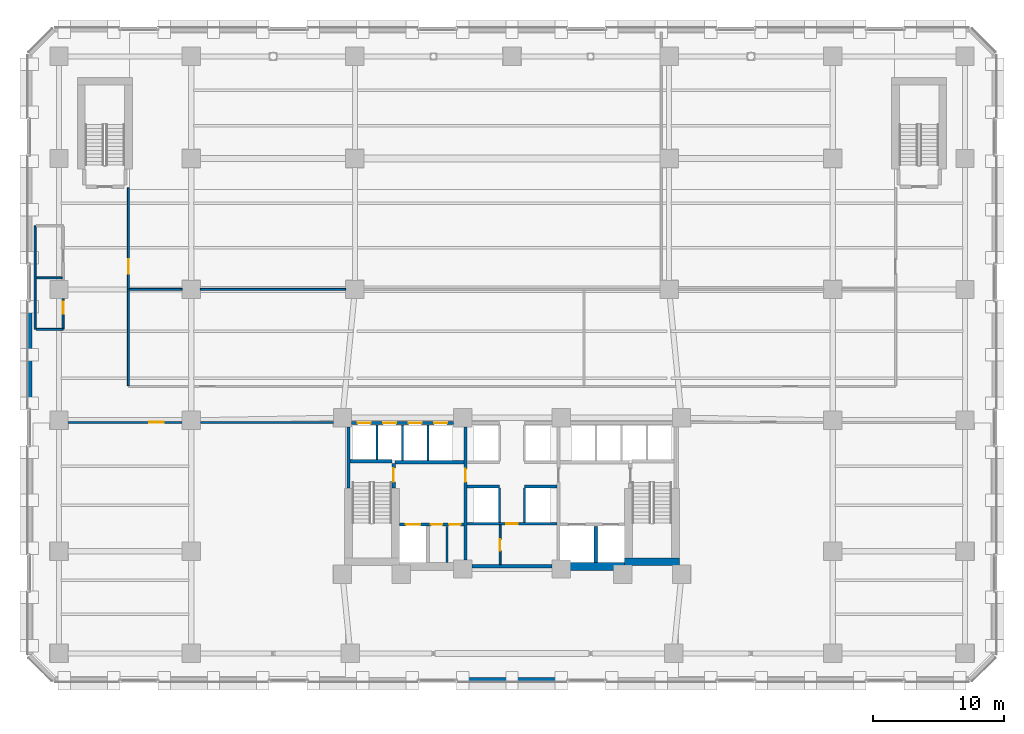
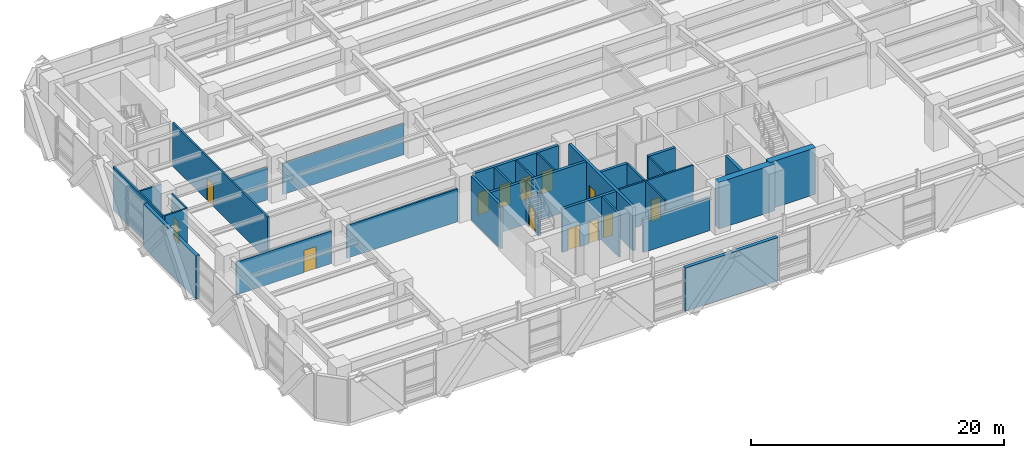
# One storey, part 14 of 26: 32 walls, 14 doors, 14 openings.
"""IFC4 building model written with IfcOpenShell, lengths in metres."""

from ifc_helpers import new_model, si_unit, direction, frame, frame_2d, origin, place, context, subcontext, project, spatial, rectangle, extrude, material, layer, layer_set, type_object, element, fill, save


model = new_model("IFC4")

# Units and contexts
model_context = context("Model", 3, precision=1e-05, world=origin(), true_north=direction((0.0, 1.0)))
body_context = subcontext(model_context, "Body", "Model", "MODEL_VIEW")
ifc_project = project(units=[si_unit("LENGTHUNIT", "METRE"), si_unit("AREAUNIT", "SQUARE_METRE"), si_unit("VOLUMEUNIT", "CUBIC_METRE"), si_unit("PLANEANGLEUNIT", "RADIAN"), si_unit("MASSUNIT", "GRAM", prefix="KILO")], contexts=[model_context])

# Site, building, storey
site_placement = place(None, origin())
site = spatial("IfcSite", under=ifc_project, at=site_placement, CompositionType="ELEMENT")
building_placement = place(site_placement, origin())
building = spatial("IfcBuilding", under=site, at=building_placement, Name="Quenlor Broadcast Tower", CompositionType="ELEMENT")
storey_placement = place(building_placement, frame((0.0, 0.0, 14.0)))
storey = spatial("IfcBuildingStorey", under=building, at=storey_placement, Name="L03", CompositionType="ELEMENT", Elevation=14.0)

# Wall, opening, door
ifc_material_1 = material(Name="Acoustic Double Stud Gypsum Partition", Category="other")
ifc_layer_1 = layer(ifc_material_1, 0.14990234375)
ifc_layer_set_1 = layer_set([ifc_layer_1], Name="Broadcast Studio Acoustic Partition 150")
wall_type_1 = type_object("IfcWallType", Name="Broadcast Studio Acoustic Partition 150", PredefinedType="PARTITIONING", material=ifc_layer_set_1)
wall_1_placement = place(storey_placement, frame((-0.909912109375, -16.02001953125, 0.0), z_axis=(0.0, 0.0, 1.0), x_axis=(0.0, 1.0, 0.0)))
wall_1 = element("IfcWall", 1, at=wall_1_placement, inside=storey, type_object=wall_type_1, Name="L03 Interior Wall CW-CSV-W1", PredefinedType="PARTITIONING", context=body_context, shape_type="SweptSolid", body=[
    extrude(rectangle(XDim=3.0380859375, YDim=0.14990234375, at=frame_2d((1.51904296875, 0.0))), origin(), (0.0, 0.0, 1.0), 4.199951171875),
])
opening_1_placement = place(wall_1_placement, frame((1.050048828125, 0.0, 0.0)))
opening_1 = element("IfcOpeningElement", 2, at=opening_1_placement, cuts=wall_1, Name="Opening ID-4", PredefinedType="OPENING", context=body_context, shape_type="SweptSolid", body=[
    extrude(rectangle(XDim=0.8798828125, YDim=2.1201171875, at=frame_2d((0.43994140625, 1.06005859375))), frame((0.0, 0.0849609375, 0.0), z_axis=(0.0, -1.0, 0.0), x_axis=(1.0, 0.0, 0.0)), (0.0, 0.0, 1.0), 0.169921875),
])
ifc_material_2 = material(Name="Solid Core Timber Oak", Category="wood")
door_type_1 = type_object("IfcDoorType", Name="Service Closet Timber Door 880x2120", OperationType="NOTDEFINED", PredefinedType="DOOR", material=ifc_material_2)
door_1_placement = place(opening_1_placement, origin())
door_1 = element("IfcDoor", 3, at=door_1_placement, inside=storey, type_object=door_type_1, Name="L03 Door DR-CSV1", OperationType="SINGLE_SWING_LEFT", OverallHeight=2.1201171875, OverallWidth=0.8798828125, PredefinedType="DOOR", context=body_context, shape_type="SweptSolid", body=[
    extrude(rectangle(XDim=0.8798828125, YDim=2.1201171875, at=frame_2d((0.43994140625, 1.06005859375))), frame((0.0, 0.02490234375, 0.0), z_axis=(0.0, -1.0, 0.0), x_axis=(1.0, 0.0, 0.0)), (0.0, 0.0, 1.0), 0.050048828125),
])
fill(opening_1, door_1)

wall_2_placement = place(storey_placement, frame((-29.300048828125, -2.337890625, 0.0), z_axis=(0.0, 0.0, 1.0), x_axis=(0.0, 1.0, 0.0)))
wall_2 = element("IfcWall", 4, at=wall_2_placement, inside=storey, type_object=wall_type_1, Name="L03 Interior Wall PW-PD-LW", PredefinedType="PARTITIONING", context=body_context, shape_type="SweptSolid", body=[
    extrude(rectangle(XDim=15.087890625, YDim=0.14990234375, at=frame_2d((7.5439453125, 0.0))), origin(), (0.0, 0.0, 1.0), 4.199951171875),
])
opening_2_placement = place(wall_2_placement, frame((8.5380859375, 0.0, 0.0)))
opening_2 = element("IfcOpeningElement", 5, at=opening_2_placement, cuts=wall_2, Name="Opening ID-2", PredefinedType="OPENING", context=body_context, shape_type="SweptSolid", body=[
    extrude(rectangle(XDim=1.10009765625, YDim=2.14990234375, at=frame_2d((0.550048828125, 1.074951171875))), frame((0.0, 0.0849609375, 0.0), z_axis=(0.0, -1.0, 0.0), x_axis=(1.0, 0.0, 0.0)), (0.0, 0.0, 1.0), 0.169921875),
])
ifc_material_3 = material(Name="Acoustic Laminated Timber Oak", Category="wood")
door_type_2 = type_object("IfcDoorType", Name="Wide Studio Acoustic Timber Door 1100x2150", OperationType="NOTDEFINED", PredefinedType="DOOR", material=ifc_material_3)
door_2_placement = place(opening_2_placement, origin())
door_2 = element("IfcDoor", 6, at=door_2_placement, inside=storey, type_object=door_type_2, Name="L03 Door DR-PD5", OperationType="SINGLE_SWING_LEFT", OverallHeight=2.14990234375, OverallWidth=1.10009765625, PredefinedType="DOOR", context=body_context, shape_type="SweptSolid", body=[
    extrude(rectangle(XDim=1.10009765625, YDim=2.14990234375, at=frame_2d((0.550048828125, 1.074951171875))), frame((0.0, 0.02490234375, 0.0), z_axis=(0.0, -1.0, 0.0), x_axis=(1.0, 0.0, 0.0)), (0.0, 0.0, 1.0), 0.050048828125),
])
fill(opening_2, door_2)

# Walls
wall_3_placement = place(storey_placement, frame((-29.219970703125, 5.0, 0.0), z_axis=(0.0, 0.0, 1.0), x_axis=(1.0, 0.0, 0.0)))
element("IfcWall", 7, at=wall_3_placement, inside=storey, type_object=wall_type_1, Name="L03 Interior Wall PW-PD-HY", PredefinedType="PARTITIONING", context=body_context, shape_type="SweptSolid", body=[
    extrude(rectangle(XDim=4.01806640625, YDim=0.14990234375, at=frame_2d((2.009033203125, 0.0))), origin(), (0.0, 0.0, 1.0), 3.176025390625),
])
wall_4_placement = place(storey_placement, frame((-23.798095703125, 5.0, 0.0), z_axis=(0.0, 0.0, 1.0), x_axis=(1.0, 0.0, 0.0)))
element("IfcWall", 8, at=wall_4_placement, inside=storey, type_object=wall_type_1, Name="L03 Interior Wall PW-PD-HYS2", PredefinedType="PARTITIONING", context=body_context, shape_type="SweptSolid", body=[
    extrude(rectangle(XDim=11.09619140625, YDim=0.14990234375, at=frame_2d((5.548095703125, 0.0))), origin(), (0.0, 0.0, 1.0), 3.011962890625),
])
wall_5_placement = place(storey_placement, frame((-36.419921875, 1.949951171875, 0.0), z_axis=(0.0, 0.0, 1.0), x_axis=(0.0, 1.0, 0.0)))
element("IfcWall", 9, at=wall_5_placement, inside=storey, type_object=wall_type_1, Name="L03 Interior Wall PW-PD-WCW", PredefinedType="PARTITIONING", context=body_context, shape_type="SweptSolid", body=[
    extrude(rectangle(XDim=7.900146484375, YDim=0.14990234375, at=frame_2d((3.9501953125, 0.0))), origin(), (0.0, 0.0, 1.0), 4.199951171875),
])

# Wall, opening, door
wall_6_placement = place(storey_placement, frame((-34.280029296875, 2.010009765625, 0.0), z_axis=(0.0, 0.0, 1.0), x_axis=(0.0, 1.0, 0.0)))
wall_6 = element("IfcWall", 10, at=wall_6_placement, inside=storey, type_object=wall_type_1, Name="L03 Interior Wall PW-PD-WCE", PredefinedType="PARTITIONING", context=body_context, shape_type="SweptSolid", body=[
    extrude(rectangle(XDim=2.2880859375, YDim=0.14990234375, at=frame_2d((1.14404296875, 0.0))), origin(), (0.0, 0.0, 1.0), 4.199951171875),
])
opening_3_placement = place(wall_6_placement, frame((1.139892578125, 0.0, 0.0)))
opening_3 = element("IfcOpeningElement", 11, at=opening_3_placement, cuts=wall_6, Name="Opening ID-3", PredefinedType="OPENING", context=body_context, shape_type="SweptSolid", body=[
    extrude(rectangle(XDim=0.89990234375, YDim=2.1201171875, at=frame_2d((0.449951171875, 1.06005859375))), frame((0.0, 0.0849609375, 0.0), z_axis=(0.0, -1.0, 0.0), x_axis=(1.0, 0.0, 0.0)), (0.0, 0.0, 1.0), 0.169921875),
])
ifc_material_4 = material(Name="Moisture Resistant Timber Oak", Category="wood")
door_type_3 = type_object("IfcDoorType", Name="Washroom Privacy Door 900x2120", OperationType="NOTDEFINED", PredefinedType="DOOR", material=ifc_material_4)
door_3_placement = place(opening_3_placement, origin())
door_3 = element("IfcDoor", 12, at=door_3_placement, inside=storey, type_object=door_type_3, Name="L03 Door DR-PD-MWC", OperationType="SINGLE_SWING_LEFT", OverallHeight=2.1201171875, OverallWidth=0.89990234375, PredefinedType="DOOR", context=body_context, shape_type="SweptSolid", body=[
    extrude(rectangle(XDim=0.89990234375, YDim=2.1201171875, at=frame_2d((0.449951171875, 1.06005859375))), frame((0.0, 0.02490234375, 0.0), z_axis=(0.0, -1.0, 0.0), x_axis=(1.0, 0.0, 0.0)), (0.0, 0.0, 1.0), 0.050048828125),
])
fill(opening_3, door_3)

# Walls
wall_7_placement = place(storey_placement, frame((-36.343017578125, 5.8798828125, 0.0), z_axis=(0.0, 0.0, 1.0), x_axis=(1.0, 0.0, 0.0)))
element("IfcWall", 13, at=wall_7_placement, inside=storey, type_object=wall_type_1, Name="L03 Interior Wall PW-PD-WCM", PredefinedType="PARTITIONING", context=body_context, shape_type="SweptSolid", body=[
    extrude(rectangle(XDim=1.986083984375, YDim=0.14990234375, at=frame_2d((0.9931640625, 0.0))), origin(), (0.0, 0.0, 1.0), 4.199951171875),
])
wall_8_placement = place(storey_placement, frame((-36.343017578125, 1.949951171875, 0.0), z_axis=(0.0, 0.0, 1.0), x_axis=(1.0, 0.0, 0.0)))
element("IfcWall", 14, at=wall_8_placement, inside=storey, type_object=wall_type_1, Name="L03 Interior Wall PW-PD-WCS", PredefinedType="PARTITIONING", context=body_context, shape_type="SweptSolid", body=[
    extrude(rectangle(XDim=2.06298828125, YDim=0.14990234375, at=frame_2d((1.031494140625, 0.0))), origin(), (0.0, 0.0, 1.0), 4.199951171875),
])
ifc_material_5 = material(Name="Concrete C65/80", Category="concrete")
ifc_layer_2 = layer(ifc_material_5, 0.60009765625)
ifc_layer_set_2 = layer_set([ifc_layer_2], Name="Core Concrete C65/80 Shear Wall 600")
wall_type_2 = type_object("IfcWallType", Name="Core Concrete C65/80 Shear Wall 600", PredefinedType="SHEAR", material=ifc_layer_set_2)
wall_9_placement = place(storey_placement, frame((3.75, -16.14990234375, 0.0), z_axis=(0.0, 0.0, 1.0), x_axis=(1.0, 0.0, 0.0)))
element("IfcWall", 15, at=wall_9_placement, inside=storey, type_object=wall_type_2, Name="L03 Core Shear Wall WS-E1", PredefinedType="SHEAR", context=body_context, shape_type="SweptSolid", body=[
    extrude(rectangle(XDim=5.14990234375, YDim=0.60009765625, at=frame_2d((2.574951171875, 0.0))), origin(), (0.0, 0.0, 1.0), 4.5),
])
wall_10_placement = place(storey_placement, frame((8.60009765625, -15.800048828125, 0.0), z_axis=(0.0, 0.0, 1.0), x_axis=(1.0, 0.0, 0.0)))
element("IfcWall", 16, at=wall_10_placement, inside=storey, type_object=wall_type_2, Name="L03 Core Shear Wall WS-E2", PredefinedType="SHEAR", context=body_context, shape_type="SweptSolid", body=[
    extrude(rectangle(XDim=4.199951171875, YDim=0.60009765625, at=frame_2d((2.10009765625, 0.0))), origin(), (0.0, 0.0, 1.0), 4.5),
])

# Wall, opening, door
ifc_material_6 = material(Name="Concrete C40/50", Category="concrete")
ifc_layer_3 = layer(ifc_material_6, 0.25)
ifc_layer_set_3 = layer_set([ifc_layer_3], Name="Fire Rated Concrete C40/50 Core Wall 250")
wall_type_3 = type_object("IfcWallType", Name="Fire Rated Concrete C40/50 Core Wall 250", PredefinedType="PARTITIONING", material=ifc_layer_set_3)
wall_11_placement = place(storey_placement, frame((-9.0400390625, -10.179931640625, 0.0), z_axis=(0.0, 0.0, 1.0), x_axis=(0.0, 1.0, 0.0)))
wall_11 = element("IfcWall", 17, at=wall_11_placement, inside=storey, type_object=wall_type_3, Name="L03 Interior Wall CW-ST1-DR", PredefinedType="PARTITIONING", context=body_context, shape_type="SweptSolid", body=[
    extrude(rectangle(XDim=1.89990234375, YDim=0.25, at=frame_2d((0.949951171875, 0.0))), origin(), (0.0, 0.0, 1.0), 4.199951171875),
])
opening_4_placement = place(wall_11_placement, frame((0.47998046875, 0.0, 0.0)))
opening_4 = element("IfcOpeningElement", 18, at=opening_4_placement, cuts=wall_11, Name="Opening FD-1", PredefinedType="OPENING", context=body_context, shape_type="SweptSolid", body=[
    extrude(rectangle(XDim=1.050048828125, YDim=2.14990234375, at=frame_2d((0.52490234375, 1.074951171875))), frame((0.0, 0.135009765625, 0.0), z_axis=(0.0, -1.0, 0.0), x_axis=(1.0, 0.0, 0.0)), (0.0, 0.0, 1.0), 0.27001953125),
])
ifc_material_7 = material(Name="Fire Rated Steel Door Leaf", Category="steel")
door_type_4 = type_object("IfcDoorType", Name="Fire Isolated Stair Door 1050x2150", OperationType="NOTDEFINED", PredefinedType="DOOR", material=ifc_material_7)
door_4_placement = place(opening_4_placement, origin())
door_4 = element("IfcDoor", 19, at=door_4_placement, inside=storey, type_object=door_type_4, Name="L03 Door DR-ST1", OperationType="SINGLE_SWING_LEFT", OverallHeight=2.14990234375, OverallWidth=1.050048828125, PredefinedType="DOOR", context=body_context, shape_type="SweptSolid", body=[
    extrude(rectangle(XDim=1.050048828125, YDim=2.14990234375, at=frame_2d((0.52490234375, 1.074951171875))), frame((0.0, 0.02490234375, 0.0), z_axis=(0.0, -1.0, 0.0), x_axis=(1.0, 0.0, 0.0)), (0.0, 0.0, 1.0), 0.050048828125),
])
fill(opening_4, door_4)

# Walls
wall_12_placement = place(storey_placement, frame((-12.3798828125, -8.1201171875, 0.0), z_axis=(0.0, 0.0, 1.0), x_axis=(1.0, 0.0, 0.0)))
element("IfcWall", 20, at=wall_12_placement, inside=storey, type_object=wall_type_3, Name="L03 Interior Wall CW-ST1-N", PredefinedType="PARTITIONING", context=body_context, shape_type="SweptSolid", body=[
    extrude(rectangle(XDim=3.219970703125, YDim=0.25, at=frame_2d((1.60986328125, 0.0))), origin(), (0.0, 0.0, 1.0), 4.199951171875),
])
wall_13_placement = place(storey_placement, frame((-12.47998046875, -10.179931640625, 0.0), z_axis=(0.0, 0.0, 1.0), x_axis=(0.0, 1.0, 0.0)))
element("IfcWall", 21, at=wall_13_placement, inside=storey, type_object=wall_type_3, Name="L03 Interior Wall CW-ST1-W2", PredefinedType="PARTITIONING", context=body_context, shape_type="SweptSolid", body=[
    extrude(rectangle(XDim=4.677978515625, YDim=0.25, at=frame_2d((2.3388671875, 0.0))), origin(), (0.0, 0.0, 1.0), 4.199951171875),
])

# Wall, openings, doors
wall_14_placement = place(storey_placement, frame((-8.597900390625, -12.949951171875, 0.0), z_axis=(0.0, 0.0, 1.0), x_axis=(1.0, 0.0, 0.0)))
wall_14 = element("IfcWall", 22, at=wall_14_placement, inside=storey, type_object=wall_type_3, Name="L03 Interior Wall CW-FFW-S", PredefinedType="PARTITIONING", context=body_context, shape_type="SweptSolid", body=[
    extrude(rectangle(XDim=4.91796875, YDim=0.25, at=frame_2d((2.458984375, 0.0))), origin(), (0.0, 0.0, 1.0), 4.199951171875),
])
opening_5_placement = place(wall_14_placement, frame((0.498046875, 0.0, 0.0)))
opening_5 = element("IfcOpeningElement", 23, at=opening_5_placement, cuts=wall_14, Name="Opening LD-FFL-1", PredefinedType="OPENING", context=body_context, shape_type="SweptSolid", body=[
    extrude(rectangle(XDim=1.10009765625, YDim=2.14990234375, at=frame_2d((0.550048828125, 1.074951171875))), frame((0.0, 0.135009765625, 0.0), z_axis=(0.0, -1.0, 0.0), x_axis=(1.0, 0.0, 0.0)), (0.0, 0.0, 1.0), 0.27001953125),
])
opening_6_placement = place(wall_14_placement, frame((2.39794921875, 0.0, 0.0)))
opening_6 = element("IfcOpeningElement", 24, at=opening_6_placement, cuts=wall_14, Name="Opening TD-1", PredefinedType="OPENING", context=body_context, shape_type="SweptSolid", body=[
    extrude(rectangle(XDim=0.8798828125, YDim=2.10009765625, at=frame_2d((0.43994140625, 1.050048828125))), frame((0.0, 0.135009765625, 0.0), z_axis=(0.0, -1.0, 0.0), x_axis=(1.0, 0.0, 0.0)), (0.0, 0.0, 1.0), 0.27001953125),
])
opening_7_placement = place(wall_14_placement, frame((3.798095703125, 0.0, 0.0)))
opening_7 = element("IfcOpeningElement", 25, at=opening_7_placement, cuts=wall_14, Name="Opening TD-1", PredefinedType="OPENING", context=body_context, shape_type="SweptSolid", body=[
    extrude(rectangle(XDim=0.8798828125, YDim=2.10009765625, at=frame_2d((0.43994140625, 1.050048828125))), frame((0.0, 0.135009765625, 0.0), z_axis=(0.0, -1.0, 0.0), x_axis=(1.0, 0.0, 0.0)), (0.0, 0.0, 1.0), 0.27001953125),
])
ifc_material_8 = material(Name="Brushed Stainless Steel", Category="steel")
door_type_5 = type_object("IfcDoorType", Name="Emergency Lift Sliding Landing Door 1100x2150", OperationType="NOTDEFINED", PredefinedType="DOOR", material=ifc_material_8)
door_5_placement = place(opening_5_placement, origin())
door_5 = element("IfcDoor", 26, at=door_5_placement, inside=storey, type_object=door_type_5, Name="L03 Door LD-FFL-1", OperationType="SLIDING_TO_LEFT", OverallHeight=2.14990234375, OverallWidth=1.10009765625, PredefinedType="DOOR", context=body_context, shape_type="SweptSolid", body=[
    extrude(rectangle(XDim=1.10009765625, YDim=2.14990234375, at=frame_2d((0.550048828125, 1.074951171875))), frame((0.0, 0.02490234375, 0.0), z_axis=(0.0, -1.0, 0.0), x_axis=(1.0, 0.0, 0.0)), (0.0, 0.0, 1.0), 0.050048828125),
])
fill(opening_5, door_5)
ifc_material_9 = material(Name="Fire Rated Steel Access Panel", Category="steel")
door_type_6 = type_object("IfcDoorType", Name="Riser Shaft Rated Access Trapdoor 880x2100", OperationType="NOTDEFINED", PredefinedType="TRAPDOOR", material=ifc_material_9)
door_6_placement = place(opening_6_placement, origin())
door_6 = element("IfcDoor", 27, at=door_6_placement, inside=storey, type_object=door_type_6, Name="L03 Door DR-ELR", OperationType="SINGLE_SWING_LEFT", OverallHeight=2.10009765625, OverallWidth=0.8798828125, PredefinedType="TRAPDOOR", context=body_context, shape_type="SweptSolid", body=[
    extrude(rectangle(XDim=0.8798828125, YDim=2.10009765625, at=frame_2d((0.43994140625, 1.050048828125))), frame((0.0, 0.02490234375, 0.0), z_axis=(0.0, -1.0, 0.0), x_axis=(1.0, 0.0, 0.0)), (0.0, 0.0, 1.0), 0.050048828125),
])
fill(opening_6, door_6)
door_7_placement = place(opening_7_placement, origin())
door_7 = element("IfcDoor", 28, at=door_7_placement, inside=storey, type_object=door_type_6, Name="L03 Door DR-CMR", OperationType="SINGLE_SWING_RIGHT", OverallHeight=2.10009765625, OverallWidth=0.8798828125, PredefinedType="TRAPDOOR", context=body_context, shape_type="SweptSolid", body=[
    extrude(rectangle(XDim=0.8798828125, YDim=2.10009765625, at=frame_2d((0.43994140625, 1.050048828125))), frame((0.0, 0.02490234375, 0.0), z_axis=(0.0, -1.0, 0.0), x_axis=(1.0, 0.0, 0.0)), (0.0, 0.0, 1.0), 0.050048828125),
])
fill(opening_7, door_7)

# Walls
wall_15_placement = place(storey_placement, frame((6.39990234375, -15.847900390625, 0.0), z_axis=(0.0, 0.0, 1.0), x_axis=(0.0, 1.0, 0.0)))
element("IfcWall", 29, at=wall_15_placement, inside=storey, type_object=wall_type_3, Name="L03 Interior Wall CW-SV1-E", PredefinedType="PARTITIONING", context=body_context, shape_type="SweptSolid", body=[
    extrude(rectangle(XDim=2.7578125, YDim=0.25, at=frame_2d((1.37890625, 0.0))), origin(), (0.0, 0.0, 1.0), 4.199951171875),
])
wall_16_placement = place(storey_placement, frame((-8.919921875, -8.199951171875, 0.0), z_axis=(0.0, 0.0, 1.0), x_axis=(1.0, 0.0, 0.0)))
element("IfcWall", 30, at=wall_16_placement, inside=storey, type_object=wall_type_3, Name="L03 Interior Wall CW-FFW-N", PredefinedType="PARTITIONING", context=body_context, shape_type="SweptSolid", body=[
    extrude(rectangle(XDim=5.239990234375, YDim=0.25, at=frame_2d((2.6201171875, 0.0))), origin(), (0.0, 0.0, 1.0), 4.199951171875),
])

# Wall, opening, door
wall_17_placement = place(storey_placement, frame((-3.550048828125, -15.64794921875, 0.0), z_axis=(0.0, 0.0, 1.0), x_axis=(0.0, 1.0, 0.0)))
wall_17 = element("IfcWall", 31, at=wall_17_placement, inside=storey, type_object=wall_type_3, Name="L03 Interior Wall CW-FFW-E", PredefinedType="PARTITIONING", context=body_context, shape_type="SweptSolid", body=[
    extrude(rectangle(XDim=10.14599609375, YDim=0.25, at=frame_2d((5.072998046875, 0.0))), origin(), (0.0, 0.0, 1.0), 4.199951171875),
])
opening_8_placement = place(wall_17_placement, frame((5.947998046875, 0.0, 0.0)))
opening_8 = element("IfcOpeningElement", 32, at=opening_8_placement, cuts=wall_17, Name="Opening FD-2", PredefinedType="OPENING", context=body_context, shape_type="SweptSolid", body=[
    extrude(rectangle(XDim=1.0, YDim=2.14990234375, at=frame_2d((0.5, 1.074951171875))), frame((0.0, 0.135009765625, 0.0), z_axis=(0.0, -1.0, 0.0), x_axis=(1.0, 0.0, 0.0)), (0.0, 0.0, 1.0), 0.27001953125),
])
ifc_material_10 = material(Name="Fire Rated Glazed Steel Door", Category="steel")
door_type_7 = type_object("IfcDoorType", Name="Firefighting Lobby Smoke Door 1000x2150", OperationType="NOTDEFINED", PredefinedType="DOOR", material=ifc_material_10)
door_8_placement = place(opening_8_placement, origin())
door_8 = element("IfcDoor", 33, at=door_8_placement, inside=storey, type_object=door_type_7, Name="L03 Door DR-FFLW", OperationType="SINGLE_SWING_RIGHT", OverallHeight=2.14990234375, OverallWidth=1.0, PredefinedType="DOOR", context=body_context, shape_type="SweptSolid", body=[
    extrude(rectangle(XDim=1.0, YDim=2.14990234375, at=frame_2d((0.5, 1.074951171875))), frame((0.0, 0.02490234375, 0.0), z_axis=(0.0, -1.0, 0.0), x_axis=(1.0, 0.0, 0.0)), (0.0, 0.0, 1.0), 0.050048828125),
])
fill(opening_8, door_8)

# Wall, openings, doors
wall_18_placement = place(storey_placement, frame((-12.248046875, -5.199951171875, 0.0), z_axis=(0.0, 0.0, 1.0), x_axis=(1.0, 0.0, 0.0)))
wall_18 = element("IfcWall", 34, at=wall_18_placement, inside=storey, type_object=wall_type_3, Name="L03 Interior Wall CW-N-W", PredefinedType="PARTITIONING", context=body_context, shape_type="SweptSolid", body=[
    extrude(rectangle(XDim=7.796142578125, YDim=0.25, at=frame_2d((3.89794921875, 0.0))), origin(), (0.0, 0.0, 1.0), 4.199951171875),
])
opening_9_placement = place(wall_18_placement, frame((0.447998046875, 0.0, 0.0)))
opening_9 = element("IfcOpeningElement", 35, at=opening_9_placement, cuts=wall_18, Name="Opening LD-PL-L1", PredefinedType="OPENING", context=body_context, shape_type="SweptSolid", body=[
    extrude(rectangle(XDim=1.0, YDim=2.14990234375, at=frame_2d((0.5, 1.074951171875))), frame((0.0, 0.135009765625, 0.0), z_axis=(0.0, -1.0, 0.0), x_axis=(1.0, 0.0, 0.0)), (0.0, 0.0, 1.0), 0.27001953125),
])
opening_10_placement = place(wall_18_placement, frame((2.39794921875, 0.0, 0.0)))
opening_10 = element("IfcOpeningElement", 36, at=opening_10_placement, cuts=wall_18, Name="Opening LD-PL-L2", PredefinedType="OPENING", context=body_context, shape_type="SweptSolid", body=[
    extrude(rectangle(XDim=1.0, YDim=2.14990234375, at=frame_2d((0.5, 1.074951171875))), frame((0.0, 0.135009765625, 0.0), z_axis=(0.0, -1.0, 0.0), x_axis=(1.0, 0.0, 0.0)), (0.0, 0.0, 1.0), 0.27001953125),
])
opening_11_placement = place(wall_18_placement, frame((4.347900390625, 0.0, 0.0)))
opening_11 = element("IfcOpeningElement", 37, at=opening_11_placement, cuts=wall_18, Name="Opening LD-PL-L3", PredefinedType="OPENING", context=body_context, shape_type="SweptSolid", body=[
    extrude(rectangle(XDim=1.0, YDim=2.14990234375, at=frame_2d((0.5, 1.074951171875))), frame((0.0, 0.135009765625, 0.0), z_axis=(0.0, -1.0, 0.0), x_axis=(1.0, 0.0, 0.0)), (0.0, 0.0, 1.0), 0.27001953125),
])
opening_12_placement = place(wall_18_placement, frame((6.298095703125, 0.0, 0.0)))
opening_12 = element("IfcOpeningElement", 38, at=opening_12_placement, cuts=wall_18, Name="Opening LD-PL-L4", PredefinedType="OPENING", context=body_context, shape_type="SweptSolid", body=[
    extrude(rectangle(XDim=1.0, YDim=2.14990234375, at=frame_2d((0.5, 1.074951171875))), frame((0.0, 0.135009765625, 0.0), z_axis=(0.0, -1.0, 0.0), x_axis=(1.0, 0.0, 0.0)), (0.0, 0.0, 1.0), 0.27001953125),
])
ifc_material_11 = material(Name="Brushed Stainless Steel", Category="steel")
door_type_8 = type_object("IfcDoorType", Name="Passenger Lift Sliding Landing Door 1000x2150", OperationType="NOTDEFINED", PredefinedType="DOOR", material=ifc_material_11)
door_9_placement = place(opening_9_placement, origin())
door_9 = element("IfcDoor", 39, at=door_9_placement, inside=storey, type_object=door_type_8, Name="L03 Door LD-PL-L1", OperationType="SLIDING_TO_LEFT", OverallHeight=2.14990234375, OverallWidth=1.0, PredefinedType="DOOR", context=body_context, shape_type="SweptSolid", body=[
    extrude(rectangle(XDim=1.0, YDim=2.14990234375, at=frame_2d((0.5, 1.074951171875))), frame((0.0, 0.02490234375, 0.0), z_axis=(0.0, -1.0, 0.0), x_axis=(1.0, 0.0, 0.0)), (0.0, 0.0, 1.0), 0.050048828125),
])
fill(opening_9, door_9)
door_10_placement = place(opening_10_placement, origin())
door_10 = element("IfcDoor", 40, at=door_10_placement, inside=storey, type_object=door_type_8, Name="L03 Door LD-PL-L2", OperationType="SLIDING_TO_LEFT", OverallHeight=2.14990234375, OverallWidth=1.0, PredefinedType="DOOR", context=body_context, shape_type="SweptSolid", body=[
    extrude(rectangle(XDim=1.0, YDim=2.14990234375, at=frame_2d((0.5, 1.074951171875))), frame((0.0, 0.02490234375, 0.0), z_axis=(0.0, -1.0, 0.0), x_axis=(1.0, 0.0, 0.0)), (0.0, 0.0, 1.0), 0.050048828125),
])
fill(opening_10, door_10)
door_11_placement = place(opening_11_placement, origin())
door_11 = element("IfcDoor", 41, at=door_11_placement, inside=storey, type_object=door_type_8, Name="L03 Door LD-PL-L3", OperationType="SLIDING_TO_LEFT", OverallHeight=2.14990234375, OverallWidth=1.0, PredefinedType="DOOR", context=body_context, shape_type="SweptSolid", body=[
    extrude(rectangle(XDim=1.0, YDim=2.14990234375, at=frame_2d((0.5, 1.074951171875))), frame((0.0, 0.02490234375, 0.0), z_axis=(0.0, -1.0, 0.0), x_axis=(1.0, 0.0, 0.0)), (0.0, 0.0, 1.0), 0.050048828125),
])
fill(opening_11, door_11)
door_12_placement = place(opening_12_placement, origin())
door_12 = element("IfcDoor", 42, at=door_12_placement, inside=storey, type_object=door_type_8, Name="L03 Door LD-PL-L4", OperationType="SLIDING_TO_LEFT", OverallHeight=2.14990234375, OverallWidth=1.0, PredefinedType="DOOR", context=body_context, shape_type="SweptSolid", body=[
    extrude(rectangle(XDim=1.0, YDim=2.14990234375, at=frame_2d((0.5, 1.074951171875))), frame((0.0, 0.02490234375, 0.0), z_axis=(0.0, -1.0, 0.0), x_axis=(1.0, 0.0, 0.0)), (0.0, 0.0, 1.0), 0.050048828125),
])
fill(opening_12, door_12)

# Walls
wall_19_placement = place(storey_placement, frame((-3.048095703125, -16.14990234375, 0.0), z_axis=(0.0, 0.0, 1.0), x_axis=(1.0, 0.0, 0.0)))
element("IfcWall", 43, at=wall_19_placement, inside=storey, type_object=wall_type_3, Name="L03 Interior Wall CW-MS-S", PredefinedType="PARTITIONING", context=body_context, shape_type="SweptSolid", body=[
    extrude(rectangle(XDim=6.09619140625, YDim=0.25, at=frame_2d((3.048095703125, 0.0))), origin(), (0.0, 0.0, 1.0), 3.176025390625),
])
for number, where, z_axis, x_axis, name in (
    (44, (-3.419921875, -10.050048828125, 0.0), (0.0, 0.0, 1.0), (1.0, 0.0, 0.0), "L03 Interior Wall CW-MS-N1"),
    (45, (0.949951171875, -10.050048828125, 0.0), (0.0, 0.0, 1.0), (1.0, 0.0, 0.0), "L03 Interior Wall CW-MS-N2"),
):
    element("IfcWall", number, at=place(storey_placement, frame(where, z_axis=z_axis, x_axis=x_axis)), inside=storey, type_object=wall_type_3, Name=name, PredefinedType="PARTITIONING", context=body_context, shape_type="SweptSolid", body=[
        extrude(rectangle(XDim=2.469970703125, YDim=0.25, at=frame_2d((1.23486328125, 0.0))), origin(), (0.0, 0.0, 1.0), 4.199951171875),
    ])
ifc_material_12 = material(Name="Gypsum Fireboard Partition", Category="other")
ifc_layer_4 = layer(ifc_material_12, 0.159912109375)
ifc_layer_set_4 = layer_set([ifc_layer_4], Name="Fire Rated Shaft and Corridor Partition 160")
wall_type_4 = type_object("IfcWallType", Name="Fire Rated Shaft and Corridor Partition 160", PredefinedType="PARTITIONING", material=ifc_layer_set_4)
wall_20_placement = place(storey_placement, frame((-4.97998046875, -15.847900390625, 0.0), z_axis=(0.0, 0.0, 1.0), x_axis=(0.0, 1.0, 0.0)))
element("IfcWall", 46, at=wall_20_placement, inside=storey, type_object=wall_type_4, Name="L03 Interior Wall CW-ELR-E", PredefinedType="PARTITIONING", context=body_context, shape_type="SweptSolid", body=[
    extrude(rectangle(XDim=2.7578125, YDim=0.159912109375, at=frame_2d((1.37890625, 0.0))), origin(), (0.0, 0.0, 1.0), 4.199951171875),
])
wall_21_placement = place(storey_placement, frame((-10.324951171875, -7.992919921875, 0.0), z_axis=(0.0, 0.0, 1.0), x_axis=(0.0, 1.0, 0.0)))
element("IfcWall", 47, at=wall_21_placement, inside=storey, type_object=wall_type_4, Name="L03 Interior Wall CW-PLL-D1", PredefinedType="PARTITIONING", context=body_context, shape_type="SweptSolid", body=[
    extrude(rectangle(XDim=2.65283203125, YDim=0.159912109375, at=frame_2d((1.326416015625, 0.0))), origin(), (0.0, 0.0, 1.0), 4.199951171875),
])
for number, where, z_axis, x_axis, name in (
    (48, (-8.375, -8.072998046875, 0.0), (0.0, 0.0, 1.0), (0.0, 1.0, 0.0), "L03 Interior Wall CW-PLL-D2"),
    (49, (-6.425048828125, -8.072998046875, 0.0), (0.0, 0.0, 1.0), (0.0, 1.0, 0.0), "L03 Interior Wall CW-PLL-D3"),
):
    element("IfcWall", number, at=place(storey_placement, frame(where, z_axis=z_axis, x_axis=x_axis)), inside=storey, type_object=wall_type_4, Name=name, PredefinedType="PARTITIONING", context=body_context, shape_type="SweptSolid", body=[
        extrude(rectangle(XDim=2.73291015625, YDim=0.159912109375, at=frame_2d((1.366455078125, 0.0))), origin(), (0.0, 0.0, 1.0), 4.199951171875),
    ])

# Wall, opening, door
wall_22_placement = place(storey_placement, frame((-3.419921875, -12.89990234375, 0.0), z_axis=(0.0, 0.0, 1.0), x_axis=(1.0, 0.0, 0.0)))
wall_22 = element("IfcWall", 50, at=wall_22_placement, inside=storey, type_object=wall_type_4, Name="L03 Interior Wall CW-MS-B", PredefinedType="PARTITIONING", context=body_context, shape_type="SweptSolid", body=[
    extrude(rectangle(XDim=6.83984375, YDim=0.159912109375, at=frame_2d((3.419921875, 0.0))), origin(), (0.0, 0.0, 1.0), 4.199951171875),
])
opening_13_placement = place(wall_22_placement, frame((2.97998046875, 0.0, 0.0)))
opening_13 = element("IfcOpeningElement", 51, at=opening_13_placement, cuts=wall_22, Name="Opening ID-4", PredefinedType="OPENING", context=body_context, shape_type="SweptSolid", body=[
    extrude(rectangle(XDim=0.8798828125, YDim=2.1201171875, at=frame_2d((0.43994140625, 1.06005859375))), frame((0.0, 0.08984375, 0.0), z_axis=(0.0, -1.0, 0.0), x_axis=(1.0, 0.0, 0.0)), (0.0, 0.0, 1.0), 0.179931640625),
])
door_13_placement = place(opening_13_placement, origin())
door_13 = element("IfcDoor", 52, at=door_13_placement, inside=storey, type_object=door_type_1, Name="L03 Door DR-CSV0", OperationType="SINGLE_SWING_LEFT", OverallHeight=2.1201171875, OverallWidth=0.8798828125, PredefinedType="DOOR", context=body_context, shape_type="SweptSolid", body=[
    extrude(rectangle(XDim=0.8798828125, YDim=2.1201171875, at=frame_2d((0.43994140625, 1.06005859375))), frame((0.0, 0.02490234375, 0.0), z_axis=(0.0, -1.0, 0.0), x_axis=(1.0, 0.0, 0.0)), (0.0, 0.0, 1.0), 0.050048828125),
])
fill(opening_13, door_13)

# Walls
for number, where, z_axis, x_axis, name in (
    (53, (-0.949951171875, -12.818115234375, 0.0), (0.0, 0.0, 1.0), (0.0, 1.0, 0.0), "L03 Interior Wall CW-MS-W"),
    (54, (0.949951171875, -12.818115234375, 0.0), (0.0, 0.0, 1.0), (0.0, 1.0, 0.0), "L03 Interior Wall CW-MS-E"),
):
    element("IfcWall", number, at=place(storey_placement, frame(where, z_axis=z_axis, x_axis=x_axis)), inside=storey, type_object=wall_type_4, Name=name, PredefinedType="PARTITIONING", context=body_context, shape_type="SweptSolid", body=[
        extrude(rectangle(XDim=2.63818359375, YDim=0.159912109375, at=frame_2d((1.319091796875, 0.0))), origin(), (0.0, 0.0, 1.0), 4.199951171875),
    ])

# Wall, opening, door
wall_23_placement = place(storey_placement, frame((-33.89794921875, -5.14990234375, 0.0), z_axis=(0.0, 0.0, 1.0), x_axis=(1.0, 0.0, 0.0)))
wall_23 = element("IfcWall", 55, at=wall_23_placement, inside=storey, type_object=wall_type_4, Name="L03 Interior Wall PW-PD-CSW", PredefinedType="PARTITIONING", context=body_context, shape_type="SweptSolid", body=[
    extrude(rectangle(XDim=8.696044921875, YDim=0.159912109375, at=frame_2d((4.34814453125, 0.0))), origin(), (0.0, 0.0, 1.0), 3.176025390625),
])
opening_14_placement = place(wall_23_placement, frame((6.197998046875, 0.0, 0.0)))
opening_14 = element("IfcOpeningElement", 56, at=opening_14_placement, cuts=wall_23, Name="Opening ID-2", PredefinedType="OPENING", context=body_context, shape_type="SweptSolid", body=[
    extrude(rectangle(XDim=1.10009765625, YDim=2.14990234375, at=frame_2d((0.550048828125, 1.074951171875))), frame((0.0, 0.08984375, 0.0), z_axis=(0.0, -1.0, 0.0), x_axis=(1.0, 0.0, 0.0)), (0.0, 0.0, 1.0), 0.179931640625),
])
door_14_placement = place(opening_14_placement, origin())
door_14 = element("IfcDoor", 57, at=door_14_placement, inside=storey, type_object=door_type_2, Name="L03 Door DR-PD1", OperationType="SINGLE_SWING_LEFT", OverallHeight=2.14990234375, OverallWidth=1.10009765625, PredefinedType="DOOR", context=body_context, shape_type="SweptSolid", body=[
    extrude(rectangle(XDim=1.10009765625, YDim=2.14990234375, at=frame_2d((0.550048828125, 1.074951171875))), frame((0.0, 0.02490234375, 0.0), z_axis=(0.0, -1.0, 0.0), x_axis=(1.0, 0.0, 0.0)), (0.0, 0.0, 1.0), 0.050048828125),
])
fill(opening_14, door_14)

# Walls
wall_24_placement = place(storey_placement, frame((-23.798095703125, -5.14990234375, 0.0), z_axis=(0.0, 0.0, 1.0), x_axis=(1.0, 0.0, 0.0)))
element("IfcWall", 58, at=wall_24_placement, inside=storey, type_object=wall_type_4, Name="L03 Interior Wall PW-PD-CSWS2", PredefinedType="PARTITIONING", context=body_context, shape_type="SweptSolid", body=[
    extrude(rectangle(XDim=10.14599609375, YDim=0.159912109375, at=frame_2d((5.072998046875, 0.0))), origin(), (0.0, 0.0, 1.0), 3.176025390625),
])
ifc_material_13 = material(Name="Precast concrete C40/50", Category="concrete")
ifc_layer_5 = layer(ifc_material_13, 0.320068359375)
ifc_layer_set_5 = layer_set([ifc_layer_5], Name="Station Podium Precast Concrete C40/50 Facade Wall 320")
wall_type_5 = type_object("IfcWallType", Name="Station Podium Precast Concrete C40/50 Facade Wall 320", PredefinedType="STANDARD", material=ifc_layer_set_5)
wall_25_placement = place(storey_placement, frame((4.24951171875, -24.820068359375, 0.0), z_axis=(0.0, 0.0, 1.0), x_axis=(-1.0, 0.0, 0.0)))
element("IfcWall", 59, at=wall_25_placement, inside=storey, type_object=wall_type_5, Name="L03 Exterior Wall L03-S-FULL-SP4", PredefinedType="STANDARD", context=body_context, shape_type="SweptSolid", body=[
    extrude(rectangle(XDim=8.4990234375, YDim=0.320068359375, at=frame_2d((4.24951171875, 0.0))), origin(), (0.0, 0.0, 1.0), 4.199951171875),
])
wall_26_placement = place(storey_placement, frame((-36.820068359375, -4.152587890625, 0.0), z_axis=(0.0, 0.0, 1.0), x_axis=(0.0, 1.0, 0.0)))
element("IfcWall", 60, at=wall_26_placement, inside=storey, type_object=wall_type_5, Name="L03 Exterior Wall L03-W-FULL-SP3", PredefinedType="STANDARD", context=body_context, shape_type="SweptSolid", body=[
    extrude(rectangle(XDim=8.30517578125, YDim=0.320068359375, at=frame_2d((4.152587890625, 0.0))), origin(), (0.0, 0.0, 1.0), 4.199951171875),
])

save(model, "model.ifc")
